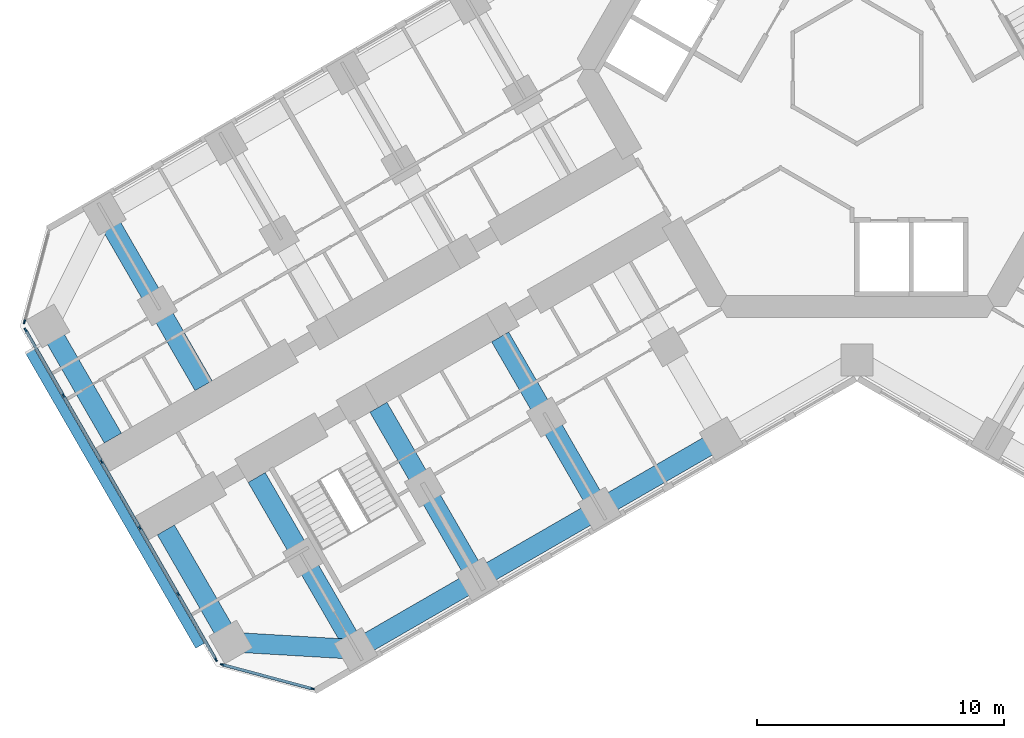
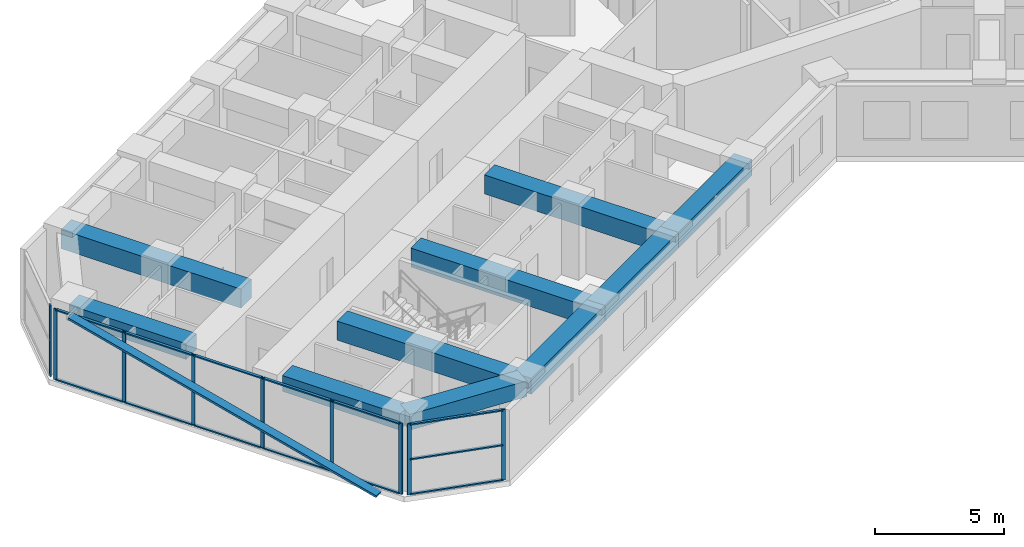
# One storey, part 2 of 19: 23 members, 10 beams, 3 elements without a shape of their own.
"""IFC4 building model written with IfcOpenShell, lengths in metres."""

import ifcopenshell
import ifcopenshell.guid

model = None  # the IFC model being written
_history = None  # IfcOwnerHistory: only IFC2X3 demands one
_inside = {}  # id of a spatial element -> (the spatial element, [elements in it])
_under = {}  # id of a project, library or spatial element -> (it, [spatial elements below it])
_declared = {}  # id of a project -> (the project, [libraries it declares])
_typed = {}  # id of a type object -> (the type object, [elements of that type])
_made_of = {}  # id of a material, layer set ... -> (it, [elements and type objects made of it])


def new_model(schema):
    """Start an empty IFC model of exactly this schema.

    Asked for "IFC4X3", IfcOpenShell would pick the latest addendum, in which some entities
    have other attributes; the version numbers below select the first issue.
    IFC2X3 requires an IfcOwnerHistory on every rooted entity: one is made here for all.
    """
    global model, _history
    if schema == "IFC4X3":
        model = ifcopenshell.file(schema_version=(4, 3, 0, 0))
    else:
        model = ifcopenshell.file(schema=schema)
    _inside.clear()
    _under.clear()
    _declared.clear()
    _typed.clear()
    _made_of.clear()
    _history = None
    if model.schema == "IFC2X3":
        org = make("IfcOrganization", Name="unknown")
        user = make(
            "IfcPersonAndOrganization",
            ThePerson=make("IfcPerson", FamilyName="unknown"),
            TheOrganization=org,
        )
        app = make(
            "IfcApplication",
            ApplicationDeveloper=org,
            Version="unknown",
            ApplicationFullName="unknown",
            ApplicationIdentifier="unknown",
        )
        _history = make(
            "IfcOwnerHistory",
            OwningUser=user,
            OwningApplication=app,
            ChangeAction="ADDED",
            CreationDate=0,
        )
    return model


def make(cls, **values):
    """One entity of the class cls with the attributes given. An attribute that is None is left unset."""
    return model.create_entity(
        cls, **{name: value for name, value in values.items() if value is not None}
    )


def rooted(cls, **values):
    """An entity with a GlobalId (a new one), such as an element, a storey or a relation."""
    return make(cls, GlobalId=ifcopenshell.guid.new(), OwnerHistory=_history, **values)


def si_unit(unit_type, name, prefix=None):
    """IfcSIUnit, for example si_unit("LENGTHUNIT", "METRE", prefix="MILLI")."""
    return make("IfcSIUnit", UnitType=unit_type, Prefix=prefix, Name=name)


def assignment(units):
    """IfcUnitAssignment: the units of a project."""
    return None if units is None else make("IfcUnitAssignment", Units=units)


def point(xyz):
    """IfcCartesianPoint."""
    return None if xyz is None else make("IfcCartesianPoint", Coordinates=xyz)


def direction(xyz):
    """IfcDirection."""
    return None if xyz is None else make("IfcDirection", DirectionRatios=xyz)


def frame(location, z_axis=None, x_axis=None):
    """IfcAxis2Placement3D, a coordinate frame: its origin and axes. An axis left out is left unset."""
    return make(
        "IfcAxis2Placement3D",
        Location=point(location),
        Axis=direction(z_axis),
        RefDirection=direction(x_axis),
    )


def frame_2d(location, x_axis=None):
    """IfcAxis2Placement2D, a coordinate frame in the plane: its origin and x axis."""
    return make(
        "IfcAxis2Placement2D", Location=point(location), RefDirection=direction(x_axis)
    )


def origin():
    """The frame at (0, 0, 0) with its axes left unset."""
    return frame((0.0, 0.0, 0.0))


def origin_2d():
    """The frame at (0, 0) in the plane with its x axis left unset."""
    return frame_2d((0.0, 0.0))


def place(relative_to, where):
    """IfcLocalPlacement: puts the frame where relative to a parent placement (None: the world)."""
    return make(
        "IfcLocalPlacement", PlacementRelTo=relative_to, RelativePlacement=where
    )


def context(
    kind, dimensions, precision=None, world=None, true_north=None, identifier=None
):
    """IfcGeometricRepresentationContext, for example the 3D "Model" context."""
    return make(
        "IfcGeometricRepresentationContext",
        ContextIdentifier=identifier,
        ContextType=kind,
        CoordinateSpaceDimension=dimensions,
        Precision=precision,
        WorldCoordinateSystem=world,
        TrueNorth=true_north,
    )


def subcontext(parent, identifier, kind, view, scale=None):
    """IfcGeometricRepresentationSubContext, for example "Body" below "Model"."""
    return make(
        "IfcGeometricRepresentationSubContext",
        ContextIdentifier=identifier,
        ContextType=kind,
        ParentContext=parent,
        TargetScale=scale,
        TargetView=view,
    )


def project(units=None, contexts=None):
    """IfcProject with its units and contexts."""
    return rooted(
        "IfcProject",
        Name="project",
        RepresentationContexts=contexts,
        UnitsInContext=assignment(units),
    )


def spatial(cls, under=None, at=None, **own):
    """A site, building, storey or space (cls), placed at a placement, below another one or the project."""
    s = rooted(cls, ObjectPlacement=at, **own)
    if under is not None:
        _under.setdefault(under.id(), (under, []))[1].append(s)
    return s


def profile(cls, at=None, kind="AREA", **sizes):
    """A parametric profile (cls). Its sizes go by their IFC names, for example OverallWidth=200.0."""
    return make(cls, ProfileType=kind, Position=at, **sizes)


def rectangle(**sizes):
    """IfcRectangleProfileDef."""
    return profile("IfcRectangleProfileDef", **sizes)


def extrude(swept, where, along, depth):
    """IfcExtrudedAreaSolid: the profile swept, set in the frame where, extruded along a direction by depth."""
    return make(
        "IfcExtrudedAreaSolid",
        SweptArea=swept,
        Position=where,
        ExtrudedDirection=direction(along),
        Depth=depth,
    )


def shape(context_of_items, identifier, shape_type, items):
    """IfcShapeRepresentation: the items that make up one representation, for example the "Body"."""
    return make(
        "IfcShapeRepresentation",
        ContextOfItems=context_of_items,
        RepresentationIdentifier=identifier,
        RepresentationType=shape_type,
        Items=items,
    )


def material(Name=None, Category=None):
    """IfcMaterial."""
    return make("IfcMaterial", Name=Name, Category=Category)


def material_profile(
    of_material, cross_section, Name=None, Category=None, Priority=None
):
    """IfcMaterialProfile: a cross section and its material."""
    return make(
        "IfcMaterialProfile",
        Name=Name,
        Material=of_material,
        Profile=cross_section,
        Priority=Priority,
        Category=Category,
    )


def profile_set(profiles, Name=None, composite=None):
    """IfcMaterialProfileSet."""
    return make(
        "IfcMaterialProfileSet",
        Name=Name,
        MaterialProfiles=profiles,
        CompositeProfile=composite,
    )


def made_of(thing, what):
    """Note that an element or type object is made of a material, layer set ...; save() writes the relation."""
    if what is not None:
        _made_of.setdefault(what.id(), (what, []))[1].append(thing)
    return thing


def type_object(cls, material=None, **own):
    """A type object (cls), such as IfcWallType, which elements share."""
    return made_of(rooted(cls, **own), material)


def element(
    cls,
    number,
    at=None,
    inside=None,
    cuts=None,
    type_object=None,
    material=None,
    context=None,
    identifier="Body",
    shape_type=None,
    held_by="IfcProductDefinitionShape",
    body=None,
    shapes=None,
    **own,
):
    """One element of the class cls, such as IfcWall. Its Tag is "e" and its number.

    at: its placement. inside: the storey or other place that contains it. cuts: it is an
    opening in that element (IfcRelVoidsElement). A single representation is given by context,
    identifier, shape_type and body (its items); several are given by shapes. held_by: the class
    of the entity that holds the representations. save() writes the other relations.
    """
    e = rooted(cls, Tag="e%d" % number, ObjectPlacement=at, **own)
    if body is not None:
        shapes = [shape(context, identifier, shape_type, body)]
    if shapes is not None:
        e.Representation = make(held_by, Representations=shapes)
    if inside is not None:
        _inside.setdefault(inside.id(), (inside, []))[1].append(e)
    if cuts is not None:
        rooted(
            "IfcRelVoidsElement", RelatingBuildingElement=cuts, RelatedOpeningElement=e
        )
    if type_object is not None:
        _typed.setdefault(type_object.id(), (type_object, []))[1].append(e)
    return made_of(e, material)


def aggregate(whole, parts):
    """IfcRelAggregates: a whole, such as a stair, and the parts it consists of."""
    return rooted("IfcRelAggregates", RelatingObject=whole, RelatedObjects=parts)


def save(model, path):
    """Write the relations noted so far, then the file.

    IfcRelAggregates (storeys below a building ...), IfcRelContainedInSpatialStructure (elements
    in a storey), IfcRelDefinesByType, IfcRelAssociatesMaterial and IfcRelDeclares: one each for
    every whole, place, type object, material and project.
    """
    for whole, parts in _under.values():
        aggregate(whole, parts)
    for where, things in _inside.values():
        rooted(
            "IfcRelContainedInSpatialStructure",
            RelatedElements=things,
            RelatingStructure=where,
        )
    for kind, things in _typed.values():
        rooted("IfcRelDefinesByType", RelatedObjects=things, RelatingType=kind)
    for what, things in _made_of.values():
        rooted("IfcRelAssociatesMaterial", RelatedObjects=things, RelatingMaterial=what)
    for by, libraries in _declared.values():
        rooted("IfcRelDeclares", RelatingContext=by, RelatedDefinitions=libraries)
    model.write(path)


model = new_model("IFC4")

# Units and contexts
model_context = context("Model", 3, precision=1e-05, world=origin(), true_north=direction((0.0, 1.0)))
body_context = subcontext(model_context, "Body", "Model", "MODEL_VIEW")
ifc_project = project(units=[si_unit("LENGTHUNIT", "METRE"), si_unit("AREAUNIT", "SQUARE_METRE"), si_unit("VOLUMEUNIT", "CUBIC_METRE"), si_unit("PLANEANGLEUNIT", "RADIAN"), si_unit("MASSUNIT", "GRAM", prefix="KILO")], contexts=[model_context])

# Site, building, storey
site_placement = place(None, origin())
site = spatial("IfcSite", under=ifc_project, at=site_placement, CompositionType="ELEMENT")
building_placement = place(site_placement, origin())
building = spatial("IfcBuilding", under=site, at=building_placement, Name="Kosmar Iwan School Tower", CompositionType="ELEMENT")
storey_placement = place(building_placement, frame((0.0, 0.0, 120.199951171875)))
storey = spatial("IfcBuildingStorey", under=building, at=storey_placement, Name="L29", CompositionType="ELEMENT", Elevation=120.199951171875)

# Member
ifc_material_1 = material(Name="Black anodised aluminium", Category="aluminium")
ifc_material_profile_1 = material_profile(ifc_material_1, rectangle(XDim=0.10009765625, YDim=0.39990234375, at=origin_2d()), Name="FIN 100x400")
ifc_profile_set_1 = profile_set([ifc_material_profile_1], Name="Black anodised aluminium")
member_type_1 = type_object("IfcMemberType", Name="Diagonal fin 100x400", PredefinedType="USERDEFINED", material=ifc_profile_set_1)
member_1_placement = place(storey_placement, frame((-26.645263671875, -23.34912109375, -0.14990234375), z_axis=(-0.483795538458, 0.837973939202, 0.252470897702), x_axis=(0.126233699175, -0.218647221293, 0.967604488318)))
element("IfcMember", 1, at=member_1_placement, inside=storey, type_object=member_type_1, Name="Diagonal fin L29-F13", ObjectType="FIN", PredefinedType="USERDEFINED", context=body_context, shape_type="SweptSolid", body=[
    extrude(rectangle(XDim=0.10009765625, YDim=0.39990234375, at=origin_2d()), origin(), (0.0, 0.0, 1.0), 14.258544921875),
])

# Curtain wall, member
ifc_material_2 = material(Name="Dark glass in black aluminium frame", Category="aluminium")
curtain_wall_type = type_object("IfcCurtainWallType", Name="Sky lounge curtain wall", PredefinedType="USERDEFINED", material=ifc_material_2)
curtain_wall_1_placement = place(storey_placement, origin())
curtain_wall_1 = element("IfcCurtainWall", 2, at=curtain_wall_1_placement, inside=storey, type_object=curtain_wall_type, Name="Curtain wall L29-F12", ObjectType="FULL HEIGHT CURTAIN WALL", PredefinedType="USERDEFINED")
ifc_material_3 = material(Name="Black anodised aluminium", Category="aluminium")
ifc_material_profile_2 = material_profile(ifc_material_3, rectangle(XDim=0.06005859375, YDim=0.159912109375, at=origin_2d()), Name="MULLION 60x160")
ifc_profile_set_2 = profile_set([ifc_material_profile_2], Name="Black anodised aluminium")
member_type_2 = type_object("IfcMemberType", Name="Mullion 60x160", PredefinedType="MULLION", material=ifc_profile_set_2)
member_2_placement = place(storey_placement, frame((-33.7587890625, -10.2236328125, 0.0), z_axis=(0.0, 0.0, 1.0), x_axis=(0.965925875495, -0.258818861462, 0.0)))
member_2 = element("IfcMember", 3, at=member_2_placement, type_object=member_type_2, Name="CW6 mullion 2", PredefinedType="MULLION", context=body_context, shape_type="SweptSolid", body=[
    extrude(rectangle(XDim=0.06005859375, YDim=0.159912109375, at=origin_2d()), origin(), (0.0, 0.0, 1.0), 3.35009765625),
])
aggregate(curtain_wall_1, [member_2])

# Curtain wall, members
curtain_wall_2_placement = place(storey_placement, origin())
curtain_wall_2 = element("IfcCurtainWall", 4, at=curtain_wall_2_placement, inside=storey, type_object=curtain_wall_type, Name="Curtain wall L29-F13", ObjectType="FULL HEIGHT CURTAIN WALL", PredefinedType="USERDEFINED")
member_3_placement = place(storey_placement, frame((-33.71533203125, -10.55322265625, 0.0), z_axis=(0.0, 0.0, 1.0), x_axis=(0.866025405329, 0.499999997325, 0.0)))
member_3 = element("IfcMember", 5, at=member_3_placement, type_object=member_type_2, Name="CW6 mullion 1", PredefinedType="MULLION", context=body_context, shape_type="SweptSolid", body=[
    extrude(rectangle(XDim=0.06005859375, YDim=0.159912109375, at=origin_2d()), origin(), (0.0, 0.0, 1.0), 3.35009765625),
])
member_4_placement = place(storey_placement, frame((-32.1806640625, -13.21142578125, 0.0), z_axis=(0.0, 0.0, 1.0), x_axis=(0.866025405329, 0.499999997325, 0.0)))
member_4 = element("IfcMember", 6, at=member_4_placement, type_object=member_type_2, Name="CW6 mullion 2", PredefinedType="MULLION", context=body_context, shape_type="SweptSolid", body=[
    extrude(rectangle(XDim=0.06005859375, YDim=0.159912109375, at=origin_2d()), origin(), (0.0, 0.0, 1.0), 3.35009765625),
])
member_5_placement = place(storey_placement, frame((-30.631103515625, -15.8955078125, 0.0), z_axis=(0.0, 0.0, 1.0), x_axis=(0.866025405329, 0.499999997325, 0.0)))
member_5 = element("IfcMember", 7, at=member_5_placement, type_object=member_type_2, Name="CW6 mullion 3", PredefinedType="MULLION", context=body_context, shape_type="SweptSolid", body=[
    extrude(rectangle(XDim=0.06005859375, YDim=0.159912109375, at=origin_2d()), origin(), (0.0, 0.0, 1.0), 3.35009765625),
])
member_6_placement = place(storey_placement, frame((-29.081298828125, -18.57958984375, 0.0), z_axis=(0.0, 0.0, 1.0), x_axis=(0.866025405329, 0.499999997325, 0.0)))
member_6 = element("IfcMember", 8, at=member_6_placement, type_object=member_type_2, Name="CW6 mullion 4", PredefinedType="MULLION", context=body_context, shape_type="SweptSolid", body=[
    extrude(rectangle(XDim=0.06005859375, YDim=0.159912109375, at=origin_2d()), origin(), (0.0, 0.0, 1.0), 3.35009765625),
])
member_7_placement = place(storey_placement, frame((-27.53173828125, -21.263671875, 0.0), z_axis=(0.0, 0.0, 1.0), x_axis=(0.866025405329, 0.499999997325, 0.0)))
member_7 = element("IfcMember", 9, at=member_7_placement, type_object=member_type_2, Name="CW6 mullion 5", PredefinedType="MULLION", context=body_context, shape_type="SweptSolid", body=[
    extrude(rectangle(XDim=0.06005859375, YDim=0.159912109375, at=origin_2d()), origin(), (0.0, 0.0, 1.0), 3.35009765625),
])
member_8_placement = place(storey_placement, frame((-25.9970703125, -23.921630859375, 0.0), z_axis=(0.0, 0.0, 1.0), x_axis=(0.866025405329, 0.499999997325, 0.0)))
member_8 = element("IfcMember", 10, at=member_8_placement, type_object=member_type_2, Name="CW6 mullion 6", PredefinedType="MULLION", context=body_context, shape_type="SweptSolid", body=[
    extrude(rectangle(XDim=0.06005859375, YDim=0.159912109375, at=origin_2d()), origin(), (0.0, 0.0, 1.0), 3.35009765625),
])

curtain_wall_3_placement = place(storey_placement, origin())
curtain_wall_3 = element("IfcCurtainWall", 11, at=curtain_wall_3_placement, inside=storey, type_object=curtain_wall_type, Name="Curtain wall L29-F14", ObjectType="FULL HEIGHT CURTAIN WALL", PredefinedType="USERDEFINED")
member_9_placement = place(storey_placement, frame((-25.733154296875, -24.124267578125, 0.0), z_axis=(0.0, 0.0, 1.0), x_axis=(0.258818861462, 0.965925875495, 0.0)))
member_9 = element("IfcMember", 12, at=member_9_placement, type_object=member_type_2, Name="CW6 mullion 1", PredefinedType="MULLION", context=body_context, shape_type="SweptSolid", body=[
    extrude(rectangle(XDim=0.06005859375, YDim=0.159912109375, at=origin_2d()), origin(), (0.0, 0.0, 1.0), 3.35009765625),
])
member_10_placement = place(storey_placement, frame((-22.0830078125, -25.102294921875, 0.0), z_axis=(0.0, 0.0, 1.0), x_axis=(0.258818861462, 0.965925875495, 0.0)))
member_10 = element("IfcMember", 13, at=member_10_placement, type_object=member_type_2, Name="CW6 mullion 2", PredefinedType="MULLION", context=body_context, shape_type="SweptSolid", body=[
    extrude(rectangle(XDim=0.06005859375, YDim=0.159912109375, at=origin_2d()), origin(), (0.0, 0.0, 1.0), 3.35009765625),
])

# Beams
ifc_material_4 = material(Name="Concrete C50/60", Category="concrete")
ifc_material_profile_3 = material_profile(ifc_material_4, rectangle(XDim=0.800048828125, YDim=0.75, at=origin_2d()), Name="RC 800x750")
ifc_profile_set_3 = profile_set([ifc_material_profile_3], Name="Concrete C50/60")
beam_type_1 = type_object("IfcBeamType", Name="RC edge beam 800x750", PredefinedType="BEAM", material=ifc_profile_set_3)
beam_1_placement = place(storey_placement, frame((-5.5087890625, -14.95849609375, 2.97509765625), z_axis=(-0.866033658841, -0.49998570155, 0.0), x_axis=(0.49998570155, -0.866033658841, 0.0)))
element("IfcBeam", 14, at=beam_1_placement, inside=storey, type_object=beam_type_1, Name="Edge beam BL2", PredefinedType="BEAM", context=body_context, shape_type="SweptSolid", body=[
    extrude(rectangle(XDim=0.800048828125, YDim=0.75, at=origin_2d()), origin(), (0.0, 0.0, 1.0), 5.699951171875),
])
beam_2_placement = place(storey_placement, frame((-10.445068359375, -17.808349609375, 2.97509765625), z_axis=(-0.866025820012, -0.499999279071, 0.0), x_axis=(0.499999279071, -0.866025820012, 0.0)))
element("IfcBeam", 15, at=beam_2_placement, inside=storey, type_object=beam_type_1, Name="Edge beam BL3", PredefinedType="BEAM", context=body_context, shape_type="SweptSolid", body=[
    extrude(rectangle(XDim=0.800048828125, YDim=0.75, at=origin_2d()), origin(), (0.0, 0.0, 1.0), 5.7001953125),
])
beam_3_placement = place(storey_placement, frame((-15.381591796875, -20.658447265625, 2.97509765625), z_axis=(-0.866015111908, -0.50001782563, 0.0), x_axis=(0.50001782563, -0.866015111908, 0.0)))
element("IfcBeam", 16, at=beam_3_placement, inside=storey, type_object=beam_type_1, Name="Edge beam BL4", PredefinedType="BEAM", context=body_context, shape_type="SweptSolid", body=[
    extrude(rectangle(XDim=0.800048828125, YDim=0.75, at=origin_2d()), origin(), (0.0, 0.0, 1.0), 5.699951171875),
])
ifc_material_5 = material(Name="Concrete C50/60", Category="concrete")
ifc_material_profile_4 = material_profile(ifc_material_5, rectangle(XDim=0.800048828125, YDim=0.75, at=origin_2d()), Name="RC 800x750")
ifc_profile_set_4 = profile_set([ifc_material_profile_4], Name="Concrete C50/60")
beam_type_2 = type_object("IfcBeamType", Name="RC tip beam 800x750", PredefinedType="BEAM", material=ifc_profile_set_4)
beam_4_placement = place(storey_placement, frame((-20.31787109375, -23.508544921875, 2.97509765625), z_axis=(-0.998260616478, 0.058955420358, 0.0), x_axis=(-0.058955420358, -0.998260616478, 0.0)))
element("IfcBeam", 17, at=beam_4_placement, inside=storey, type_object=beam_type_2, Name="Tip beam BL", PredefinedType="BEAM", context=body_context, shape_type="SweptSolid", body=[
    extrude(rectangle(XDim=0.800048828125, YDim=0.75, at=origin_2d()), origin(), (0.0, 0.0, 1.0), 5.08935546875),
])
for number, where, z_axis, x_axis, name in (
    (18, (-25.3984375, -23.20849609375, 2.97509765625), (-0.500000207062, 0.866025284237, 0.0), (-0.866025284237, -0.500000207062, 0.0), "Tip beam BL to corridor wall"),
    (19, (-32.79833984375, -10.391357421875, 2.97509765625), (0.500000207062, -0.866025284237, 0.0), (0.866025284237, 0.500000207062, 0.0), "Tip beam BR to corridor wall"),
):
    element("IfcBeam", number, at=place(storey_placement, frame(where, z_axis=z_axis, x_axis=x_axis)), inside=storey, type_object=beam_type_2, Name=name, PredefinedType="BEAM", context=body_context, shape_type="SweptSolid", body=[
        extrude(rectangle(XDim=0.800048828125, YDim=0.75, at=origin_2d()), origin(), (0.0, 0.0, 1.0), 5.25),
    ])
ifc_material_6 = material(Name="Concrete C50/60", Category="concrete")
ifc_material_profile_5 = material_profile(ifc_material_6, rectangle(XDim=0.800048828125, YDim=0.89990234375, at=origin_2d()), Name="RC 800x900")
ifc_profile_set_5 = profile_set([ifc_material_profile_5], Name="Concrete C50/60")
beam_type_3 = type_object("IfcBeamType", Name="RC transverse beam 800x900", PredefinedType="BEAM", material=ifc_profile_set_5)
beam_5_placement = place(storey_placement, frame((-10.445068359375, -17.808349609375, 2.900146484375), z_axis=(-0.500017356524, 0.866015382759, 0.0), x_axis=(-0.866015382759, -0.500017356524, 0.0)))
element("IfcBeam", 20, at=beam_5_placement, inside=storey, type_object=beam_type_3, Name="Transverse beam BL2", PredefinedType="BEAM", context=body_context, shape_type="SweptSolid", body=[
    extrude(rectangle(XDim=0.800048828125, YDim=0.89990234375, at=origin_2d()), origin(), (0.0, 0.0, 1.0), 8.050048828125),
])
beam_6_placement = place(storey_placement, frame((-15.381591796875, -20.658447265625, 2.900146484375), z_axis=(-0.49999461055, 0.866028515362, 0.0), x_axis=(-0.866028515362, -0.49999461055, 0.0)))
element("IfcBeam", 21, at=beam_6_placement, inside=storey, type_object=beam_type_3, Name="Transverse beam BL3", PredefinedType="BEAM", context=body_context, shape_type="SweptSolid", body=[
    extrude(rectangle(XDim=0.800048828125, YDim=0.89990234375, at=origin_2d()), origin(), (0.0, 0.0, 1.0), 8.0498046875),
])
beam_7_placement = place(storey_placement, frame((-20.31787109375, -23.508544921875, 2.900146484375), z_axis=(-0.499981478334, 0.866036097009, 0.0), x_axis=(-0.866036097009, -0.499981478334, 0.0)))
element("IfcBeam", 22, at=beam_7_placement, inside=storey, type_object=beam_type_3, Name="Transverse beam BL4", PredefinedType="BEAM", context=body_context, shape_type="SweptSolid", body=[
    extrude(rectangle(XDim=0.800048828125, YDim=0.89990234375, at=origin_2d()), origin(), (0.0, 0.0, 1.0), 8.050048828125),
])
beam_8_placement = place(storey_placement, frame((-30.517822265625, -5.841552734375, 2.900146484375), z_axis=(0.49999461055, -0.866028515362, 0.0), x_axis=(0.866028515362, 0.49999461055, 0.0)))
element("IfcBeam", 23, at=beam_8_placement, inside=storey, type_object=beam_type_3, Name="Transverse beam BR4", PredefinedType="BEAM", context=body_context, shape_type="SweptSolid", body=[
    extrude(rectangle(XDim=0.800048828125, YDim=0.89990234375, at=origin_2d()), origin(), (0.0, 0.0, 1.0), 8.0498046875),
])

# Member
ifc_material_7 = material(Name="Black anodised aluminium", Category="aluminium")
ifc_material_profile_6 = material_profile(ifc_material_7, rectangle(XDim=0.1201171875, YDim=0.06005859375, at=origin_2d()), Name="TRANSOM 60x120")
ifc_profile_set_6 = profile_set([ifc_material_profile_6], Name="Black anodised aluminium")
member_type_3 = type_object("IfcMemberType", Name="Transom 60x120", PredefinedType="USERDEFINED", material=ifc_profile_set_6)
member_11_placement = place(storey_placement, frame((-33.700439453125, -10.579345703125, 0.030029296875), z_axis=(0.500022102064, -0.866012642776, 0.0), x_axis=(0.866012642776, 0.500022102064, 0.0)))
member_11 = element("IfcMember", 24, at=member_11_placement, type_object=member_type_3, Name="CW6 transom 1.1", ObjectType="TRANSOM", PredefinedType="USERDEFINED", context=body_context, shape_type="SweptSolid", body=[
    extrude(rectangle(XDim=0.1201171875, YDim=0.06005859375, at=origin_2d()), origin(), (0.0, 0.0, 1.0), 3.009033203125),
])

member_12_placement = place(storey_placement, frame((-33.700439453125, -10.579345703125, 3.320068359375), z_axis=(0.500022102064, -0.866012642776, 0.0), x_axis=(0.866012642776, 0.500022102064, 0.0)))
member_12 = element("IfcMember", 25, at=member_12_placement, type_object=member_type_3, Name="CW6 transom 1.2", ObjectType="TRANSOM", PredefinedType="USERDEFINED", context=body_context, shape_type="SweptSolid", body=[
    extrude(rectangle(XDim=0.1201171875, YDim=0.06005859375, at=origin_2d()), origin(), (0.0, 0.0, 1.0), 3.009033203125),
])

member_13_placement = place(storey_placement, frame((-32.165771484375, -13.2373046875, 0.030029296875), z_axis=(0.500035348339, -0.866004994449, 0.0), x_axis=(0.866004994449, 0.500035348339, 0.0)))
member_13 = element("IfcMember", 26, at=member_13_placement, type_object=member_type_3, Name="CW6 transom 2.1", ObjectType="TRANSOM", PredefinedType="USERDEFINED", context=body_context, shape_type="SweptSolid", body=[
    extrude(rectangle(XDim=0.1201171875, YDim=0.06005859375, at=origin_2d()), origin(), (0.0, 0.0, 1.0), 3.039306640625),
])

member_14_placement = place(storey_placement, frame((-32.165771484375, -13.2373046875, 3.320068359375), z_axis=(0.500035348339, -0.866004994449, 0.0), x_axis=(0.866004994449, 0.500035348339, 0.0)))
member_14 = element("IfcMember", 27, at=member_14_placement, type_object=member_type_3, Name="CW6 transom 2.2", ObjectType="TRANSOM", PredefinedType="USERDEFINED", context=body_context, shape_type="SweptSolid", body=[
    extrude(rectangle(XDim=0.1201171875, YDim=0.06005859375, at=origin_2d()), origin(), (0.0, 0.0, 1.0), 3.039306640625),
])

member_15_placement = place(storey_placement, frame((-30.615966796875, -15.92138671875, 0.030029296875), z_axis=(0.499975102327, -0.866039777986, 0.0), x_axis=(0.866039777986, 0.499975102327, 0.0)))
member_15 = element("IfcMember", 28, at=member_15_placement, type_object=member_type_3, Name="CW6 transom 3.1", ObjectType="TRANSOM", PredefinedType="USERDEFINED", context=body_context, shape_type="SweptSolid", body=[
    extrude(rectangle(XDim=0.1201171875, YDim=0.06005859375, at=origin_2d()), origin(), (0.0, 0.0, 1.0), 3.039306640625),
])

member_16_placement = place(storey_placement, frame((-30.615966796875, -15.92138671875, 3.320068359375), z_axis=(0.499975102327, -0.866039777986, 0.0), x_axis=(0.866039777986, 0.499975102327, 0.0)))
member_16 = element("IfcMember", 29, at=member_16_placement, type_object=member_type_3, Name="CW6 transom 3.2", ObjectType="TRANSOM", PredefinedType="USERDEFINED", context=body_context, shape_type="SweptSolid", body=[
    extrude(rectangle(XDim=0.1201171875, YDim=0.06005859375, at=origin_2d()), origin(), (0.0, 0.0, 1.0), 3.039306640625),
])

member_17_placement = place(storey_placement, frame((-29.06640625, -18.60546875, 0.030029296875), z_axis=(0.499975102327, -0.866039777986, 0.0), x_axis=(0.866039777986, 0.499975102327, 0.0)))
member_17 = element("IfcMember", 30, at=member_17_placement, type_object=member_type_3, Name="CW6 transom 4.1", ObjectType="TRANSOM", PredefinedType="USERDEFINED", context=body_context, shape_type="SweptSolid", body=[
    extrude(rectangle(XDim=0.1201171875, YDim=0.06005859375, at=origin_2d()), origin(), (0.0, 0.0, 1.0), 3.039306640625),
])

member_18_placement = place(storey_placement, frame((-29.06640625, -18.60546875, 3.320068359375), z_axis=(0.499975102327, -0.866039777986, 0.0), x_axis=(0.866039777986, 0.499975102327, 0.0)))
member_18 = element("IfcMember", 31, at=member_18_placement, type_object=member_type_3, Name="CW6 transom 4.2", ObjectType="TRANSOM", PredefinedType="USERDEFINED", context=body_context, shape_type="SweptSolid", body=[
    extrude(rectangle(XDim=0.1201171875, YDim=0.06005859375, at=origin_2d()), origin(), (0.0, 0.0, 1.0), 3.039306640625),
])

member_19_placement = place(storey_placement, frame((-27.516845703125, -21.28955078125, 0.030029296875), z_axis=(0.499986971506, -0.866032925658, 0.0), x_axis=(0.866032925658, 0.499986971506, 0.0)))
member_19 = element("IfcMember", 32, at=member_19_placement, type_object=member_type_3, Name="CW6 transom 5.1", ObjectType="TRANSOM", PredefinedType="USERDEFINED", context=body_context, shape_type="SweptSolid", body=[
    extrude(rectangle(XDim=0.1201171875, YDim=0.06005859375, at=origin_2d()), origin(), (0.0, 0.0, 1.0), 3.00927734375),
])

member_20_placement = place(storey_placement, frame((-27.516845703125, -21.28955078125, 3.320068359375), z_axis=(0.499986971506, -0.866032925658, 0.0), x_axis=(0.866032925658, 0.499986971506, 0.0)))
member_20 = element("IfcMember", 33, at=member_20_placement, type_object=member_type_3, Name="CW6 transom 5.2", ObjectType="TRANSOM", PredefinedType="USERDEFINED", context=body_context, shape_type="SweptSolid", body=[
    extrude(rectangle(XDim=0.1201171875, YDim=0.06005859375, at=origin_2d()), origin(), (0.0, 0.0, 1.0), 3.00927734375),
])

aggregate(curtain_wall_2, [member_3, member_4, member_5, member_6, member_7, member_8, member_11, member_12, member_13, member_14, member_15, member_16, member_17, member_18, member_19, member_20])

member_21_placement = place(storey_placement, frame((-25.704345703125, -24.1318359375, 0.030029296875), z_axis=(0.965923731726, -0.258826861991, 0.0), x_axis=(0.258826861991, 0.965923731726, 0.0)))
member_21 = element("IfcMember", 34, at=member_21_placement, type_object=member_type_3, Name="CW6 transom 1.1", ObjectType="TRANSOM", PredefinedType="USERDEFINED", context=body_context, shape_type="SweptSolid", body=[
    extrude(rectangle(XDim=0.1201171875, YDim=0.06005859375, at=origin_2d()), origin(), (0.0, 0.0, 1.0), 3.71923828125),
])

member_22_placement = place(storey_placement, frame((-25.704345703125, -24.1318359375, 1.675048828125), z_axis=(0.965923731726, -0.258826861991, 0.0), x_axis=(0.258826861991, 0.965923731726, 0.0)))
member_22 = element("IfcMember", 35, at=member_22_placement, type_object=member_type_3, Name="CW6 transom 1.2", ObjectType="TRANSOM", PredefinedType="USERDEFINED", context=body_context, shape_type="SweptSolid", body=[
    extrude(rectangle(XDim=0.1201171875, YDim=0.06005859375, at=origin_2d()), origin(), (0.0, 0.0, 1.0), 3.71923828125),
])

member_23_placement = place(storey_placement, frame((-25.704345703125, -24.1318359375, 3.320068359375), z_axis=(0.965923731726, -0.258826861991, 0.0), x_axis=(0.258826861991, 0.965923731726, 0.0)))
member_23 = element("IfcMember", 36, at=member_23_placement, type_object=member_type_3, Name="CW6 transom 1.3", ObjectType="TRANSOM", PredefinedType="USERDEFINED", context=body_context, shape_type="SweptSolid", body=[
    extrude(rectangle(XDim=0.1201171875, YDim=0.06005859375, at=origin_2d()), origin(), (0.0, 0.0, 1.0), 3.71923828125),
])

aggregate(curtain_wall_3, [member_9, member_10, member_21, member_22, member_23])

save(model, "model.ifc")
